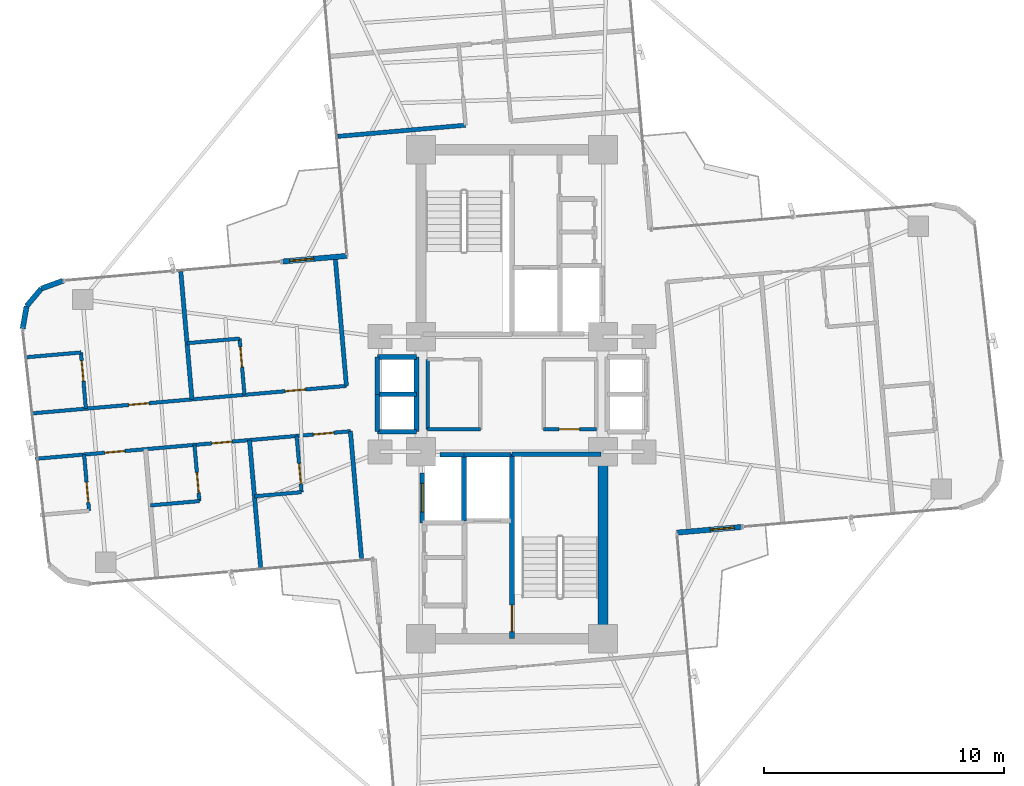
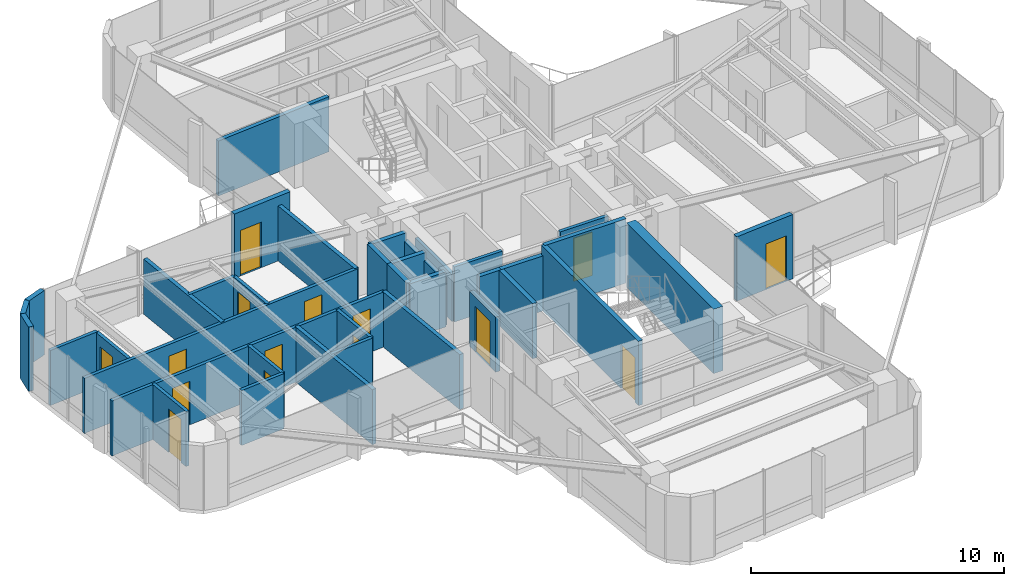
# One storey, part 21 of 24: 37 walls, 15 doors, 15 openings.
"""IFC4 building model written with IfcOpenShell, lengths in metres."""

from ifc_helpers import new_model, si_unit, direction, frame, frame_2d, origin, origin_2d, place, context, subcontext, project, spatial, rectangle, extrude, source, transform, mapped, material, layer, layer_set, type_object, element, fill, save


model = new_model("IFC4")

# Units and contexts
model_context = context("Model", 3, precision=1e-05, world=origin(), true_north=direction((0.0, 1.0)))
body_context = subcontext(model_context, "Body", "Model", "MODEL_VIEW")
ifc_project = project(units=[si_unit("LENGTHUNIT", "METRE"), si_unit("AREAUNIT", "SQUARE_METRE"), si_unit("VOLUMEUNIT", "CUBIC_METRE"), si_unit("PLANEANGLEUNIT", "RADIAN"), si_unit("MASSUNIT", "GRAM", prefix="KILO")], contexts=[model_context])

# Site, building, storey
site_placement = place(None, origin())
site = spatial("IfcSite", under=ifc_project, at=site_placement, CompositionType="ELEMENT")
building_placement = place(site_placement, origin())
building = spatial("IfcBuilding", under=site, at=building_placement, Name="Sahyath Konkavel Grand Hotel", CompositionType="ELEMENT")
storey_placement = place(building_placement, frame((0.0, 0.0, 153.949951171875)))
storey = spatial("IfcBuildingStorey", under=building, at=storey_placement, Name="L42", CompositionType="ELEMENT", Elevation=153.949951171875)

# Wall
ifc_material_1 = material(Name="Concrete C50/60", Category="concrete")
ifc_layer_1 = layer(ifc_material_1, 0.419921875)
ifc_layer_set_1 = layer_set([ifc_layer_1], Name="Concrete C50/60")
wall_type_1 = type_object("IfcWallType", Name="CWALL-420", PredefinedType="SHEAR", material=ifc_layer_set_1)
wall_1_placement = place(storey_placement, frame((3.800048828125, -9.75, 0.0), z_axis=(0.0, 0.0, 1.0), x_axis=(0.0, 1.0, 0.0)))
element("IfcWall", 1, at=wall_1_placement, inside=storey, type_object=wall_type_1, Name="L42 South Core Shear Wall E", PredefinedType="SHEAR", context=body_context, shape_type="SweptSolid", body=[
    extrude(rectangle(XDim=6.89990234375, YDim=0.419921875, at=frame_2d((3.449951171875, 0.0))), origin(), (0.0, 0.0, 1.0), 3.110107421875),
])

# Wall, opening, door
ifc_material_2 = material(Name="Warm Buff Sandstone Insulated Concrete C40/50", Category="masonry")
ifc_layer_2 = layer(ifc_material_2, 0.219970703125)
ifc_layer_set_2 = layer_set([ifc_layer_2], Name="Warm Buff Sandstone Insulated Concrete C40/50")
wall_type_2 = type_object("IfcWallType", Name="WLL-BALC-THRESH", PredefinedType="STANDARD", material=ifc_layer_set_2)
wall_2_placement = place(storey_placement, frame((6.87939453125, -5.7724609375, 0.0), z_axis=(0.0, 0.0, 1.0), x_axis=(0.996193619346, 0.087168071984, 0.0)))
wall_2 = element("IfcWall", 2, at=wall_2_placement, inside=storey, type_object=wall_type_2, Name="L42 Winter-Garden Threshold Wall 0", PredefinedType="STANDARD", context=body_context, shape_type="SweptSolid", body=[
    extrude(rectangle(XDim=2.699951171875, YDim=0.219970703125, at=frame_2d((1.35009765625, 0.0))), origin(), (0.0, 0.0, 1.0), 3.110107421875),
])
opening_1_placement = place(wall_2_placement, frame((1.39990234375, 0.0, 0.0)))
opening_1 = element("IfcOpeningElement", 3, at=opening_1_placement, cuts=wall_2, Name="Opening D-TR1", PredefinedType="OPENING", context=body_context, shape_type="SweptSolid", body=[
    extrude(rectangle(XDim=1.0, YDim=2.199951171875, at=frame_2d((0.5, 1.10009765625))), frame((0.0, 0.1201171875, 0.0), z_axis=(0.0, -1.0, 0.0), x_axis=(1.0, 0.0, 0.0)), (0.0, 0.0, 1.0), 0.239990234375),
])
ifc_material_3 = material(Name="Anodised Bronze Aluminium & Low-E Glazing", Category="aluminium")
door_type_1 = type_object("IfcDoorType", Name="DR-TERRACE-1000", OperationType="NOTDEFINED", PredefinedType="DOOR", material=ifc_material_3)
shared_shape_1 = source(origin(), body_context, "Body", "SweptSolid", [
    extrude(rectangle(XDim=1.0, YDim=0.050048828125, at=origin_2d()), origin(), (0.0, 0.0, 1.0), 2.199951171875),
])
door_1_placement = place(opening_1_placement, frame((0.5, 0.0, 0.0)))
door_1 = element("IfcDoor", 4, at=door_1_placement, inside=storey, type_object=door_type_1, Name="L42 Winter-Garden Terrace Door 0", OperationType="SINGLE_SWING_LEFT", OverallHeight=2.199951171875, OverallWidth=1.0, PredefinedType="DOOR", context=body_context, shape_type="MappedRepresentation", body=[
    mapped(shared_shape_1, transform((0.0, 0.0, 0.0), scale=1.0)),
])
fill(opening_1, door_1)

wall_3_placement = place(storey_placement, frame((-6.87939453125, 5.7724609375, 0.0), z_axis=(0.0, 0.0, 1.0), x_axis=(-0.996193619346, -0.087168071984, 0.0)))
wall_3 = element("IfcWall", 5, at=wall_3_placement, inside=storey, type_object=wall_type_2, Name="L42 Winter-Garden Threshold Wall 16", PredefinedType="STANDARD", context=body_context, shape_type="SweptSolid", body=[
    extrude(rectangle(XDim=2.699951171875, YDim=0.219970703125, at=frame_2d((1.35009765625, 0.0))), origin(), (0.0, 0.0, 1.0), 3.110107421875),
])
opening_2_placement = place(wall_3_placement, frame((1.39990234375, 0.0, 0.0)))
opening_2 = element("IfcOpeningElement", 6, at=opening_2_placement, cuts=wall_3, Name="Opening D-TR1", PredefinedType="OPENING", context=body_context, shape_type="SweptSolid", body=[
    extrude(rectangle(XDim=1.0, YDim=2.199951171875, at=frame_2d((0.5, 1.10009765625))), frame((0.0, 0.1201171875, 0.0), z_axis=(0.0, -1.0, 0.0), x_axis=(1.0, 0.0, 0.0)), (0.0, 0.0, 1.0), 0.239990234375),
])
door_2_placement = place(opening_2_placement, frame((0.5, 0.0, 0.0)))
door_2 = element("IfcDoor", 7, at=door_2_placement, inside=storey, type_object=door_type_1, Name="L42 Winter-Garden Terrace Door 16", OperationType="SINGLE_SWING_LEFT", OverallHeight=2.199951171875, OverallWidth=1.0, PredefinedType="DOOR", context=body_context, shape_type="MappedRepresentation", body=[
    mapped(shared_shape_1, transform((0.0, 0.0, 0.0), scale=1.0)),
])
fill(opening_2, door_2)

# Walls
wall_4_placement = place(storey_placement, frame((-18.73388671875, 4.735107421875, 0.0), z_axis=(0.0, 0.0, 1.0), x_axis=(-0.939741306239, -0.34188635151, 0.0)))
element("IfcWall", 8, at=wall_4_placement, inside=storey, type_object=wall_type_2, Name="L42 Rounded Corner Sandstone Pier 17", PredefinedType="STANDARD", context=body_context, shape_type="SweptSolid", body=[
    extrude(rectangle(XDim=0.95751953125, YDim=0.219970703125, at=frame_2d((0.478759765625, 0.0))), origin(), (0.0, 0.0, 1.0), 3.110107421875),
])
for number, where, z_axis, x_axis, name in (
    (9, (-19.6337890625, 4.40771484375, 0.0), (0.0, 0.0, 1.0), (-0.642863236823, -0.765980978054, 0.0), "L42 Rounded Corner Sandstone Pier 18"),
    (10, (-20.24951171875, 3.674072265625, 0.0), (0.0, 0.0, 1.0), (-0.173610811841, -0.984814340885, 0.0), "L42 Rounded Corner Sandstone Pier 19"),
):
    element("IfcWall", number, at=place(storey_placement, frame(where, z_axis=z_axis, x_axis=x_axis)), inside=storey, type_object=wall_type_2, Name=name, PredefinedType="STANDARD", context=body_context, shape_type="SweptSolid", body=[
        extrude(rectangle(XDim=0.957763671875, YDim=0.219970703125, at=frame_2d((0.47900390625, 0.0))), origin(), (0.0, 0.0, 1.0), 3.110107421875),
    ])

# Wall, opening, door
ifc_material_4 = material(Name="Concrete C40/50", Category="concrete")
ifc_layer_3 = layer(ifc_material_4, 0.199951171875)
ifc_layer_set_3 = layer_set([ifc_layer_3], Name="Concrete C40/50")
wall_type_3 = type_object("IfcWallType", Name="WLL-CORE-200", PredefinedType="SOLIDWALL", material=ifc_layer_set_3)
wall_5_placement = place(storey_placement, frame((0.0, -10.179931640625, 0.0), z_axis=(0.0, 0.0, 1.0), x_axis=(0.0, 1.0, 0.0)))
wall_5 = element("IfcWall", 11, at=wall_5_placement, inside=storey, type_object=wall_type_3, Name="L42 Stair ST-2 Shaft Wall W", PredefinedType="SOLIDWALL", context=body_context, shape_type="SweptSolid", body=[
    extrude(rectangle(XDim=7.679931640625, YDim=0.199951171875, at=frame_2d((3.83984375, 0.0))), origin(), (0.0, 0.0, 1.0), 3.110107421875),
])
opening_3_placement = place(wall_5_placement, frame((0.280029296875, 0.0, 0.0)))
opening_3 = element("IfcOpeningElement", 12, at=opening_3_placement, cuts=wall_5, Name="Opening D-F12B", PredefinedType="OPENING", context=body_context, shape_type="SweptSolid", body=[
    extrude(rectangle(XDim=1.10009765625, YDim=2.14990234375, at=frame_2d((0.550048828125, 1.074951171875))), frame((0.0, 0.10986328125, 0.0), z_axis=(0.0, -1.0, 0.0), x_axis=(1.0, 0.0, 0.0)), (0.0, 0.0, 1.0), 0.219970703125),
])
ifc_material_5 = material(Name="Steel E350 Smokeproof Fire Door", Category="steel")
door_type_2 = type_object("IfcDoorType", Name="DR-FD120-1100", OperationType="NOTDEFINED", PredefinedType="DOOR", material=ifc_material_5)
shared_shape_2 = source(origin(), body_context, "Body", "SweptSolid", [
    extrude(rectangle(XDim=1.10009765625, YDim=0.050048828125, at=origin_2d()), origin(), (0.0, 0.0, 1.0), 2.14990234375),
])
door_3_placement = place(opening_3_placement, frame((0.550048828125, 0.0, 0.0)))
door_3 = element("IfcDoor", 13, at=door_3_placement, inside=storey, type_object=door_type_2, Name="L42 Stair ST-2 Fire Door", OperationType="SINGLE_SWING_LEFT", OverallHeight=2.14990234375, OverallWidth=1.10009765625, PredefinedType="DOOR", context=body_context, shape_type="MappedRepresentation", body=[
    mapped(shared_shape_2, transform((0.0, 0.0, 0.0), scale=1.0)),
])
fill(opening_3, door_3)

# Walls
wall_6_placement = place(storey_placement, frame((0.0, -2.5, 0.0), z_axis=(0.0, 0.0, 1.0), x_axis=(1.0, 0.0, 0.0)))
element("IfcWall", 14, at=wall_6_placement, inside=storey, type_object=wall_type_3, Name="L42 Stair ST-2 Shaft Wall N", PredefinedType="SOLIDWALL", context=body_context, shape_type="SweptSolid", body=[
    extrude(rectangle(XDim=3.719970703125, YDim=0.199951171875, at=frame_2d((1.85986328125, 0.0))), origin(), (0.0, 0.0, 1.0), 3.110107421875),
])
wall_7_placement = place(storey_placement, frame((-2.0, -5.280029296875, 0.0), z_axis=(0.0, 0.0, 1.0), x_axis=(0.0, 1.0, 0.0)))
element("IfcWall", 15, at=wall_7_placement, inside=storey, type_object=wall_type_3, Name="L42 Partition SH-FFL2-W", PredefinedType="SOLIDWALL", context=body_context, shape_type="SweptSolid", body=[
    extrude(rectangle(XDim=2.780029296875, YDim=0.199951171875, at=frame_2d((1.39013671875, 0.0))), origin(), (0.0, 0.0, 1.0), 2.66015625),
])
wall_8_placement = place(storey_placement, frame((-2.0, -2.52001953125, 0.0), z_axis=(0.0, 0.0, 1.0), x_axis=(1.0, 0.0, 0.0)))
element("IfcWall", 16, at=wall_8_placement, inside=storey, type_object=wall_type_3, Name="L42 Partition SH-FFL2-N", PredefinedType="SOLIDWALL", context=body_context, shape_type="SweptSolid", body=[
    extrude(rectangle(XDim=1.949951171875, YDim=0.199951171875, at=frame_2d((0.97509765625, 0.0))), origin(), (0.0, 0.0, 1.0), 2.66015625),
])
wall_9_placement = place(storey_placement, frame((-3.0, -2.52001953125, 0.0), z_axis=(0.0, 0.0, 1.0), x_axis=(1.0, 0.0, 0.0)))
element("IfcWall", 17, at=wall_9_placement, inside=storey, type_object=wall_type_3, Name="L42 Partition SH-SVL2-N", PredefinedType="SOLIDWALL", context=body_context, shape_type="SweptSolid", body=[
    extrude(rectangle(XDim=1.0, YDim=0.199951171875, at=frame_2d((0.5, 0.0))), origin(), (0.0, 0.0, 1.0), 2.66015625),
])

# Wall, opening, door
wall_10_placement = place(storey_placement, frame((-3.739990234375, -5.360107421875, 0.0), z_axis=(0.0, 0.0, 1.0), x_axis=(0.0, 1.0, 0.0)))
wall_10 = element("IfcWall", 18, at=wall_10_placement, inside=storey, type_object=wall_type_3, Name="L42 Partition SH-SVL2-W", PredefinedType="SOLIDWALL", context=body_context, shape_type="SweptSolid", body=[
    extrude(rectangle(XDim=2.080078125, YDim=0.199951171875, at=frame_2d((1.0400390625, 0.0))), origin(), (0.0, 0.0, 1.0), 2.66015625),
])
opening_4_placement = place(wall_10_placement, frame((0.43994140625, 0.0, 0.0)))
opening_4 = element("IfcOpeningElement", 19, at=opening_4_placement, cuts=wall_10, Name="Opening LD-12", PredefinedType="OPENING", context=body_context, shape_type="SweptSolid", body=[
    extrude(rectangle(XDim=1.199951171875, YDim=2.199951171875, at=frame_2d((0.60009765625, 1.10009765625))), frame((0.0, 0.10986328125, 0.0), z_axis=(0.0, -1.0, 0.0), x_axis=(1.0, 0.0, 0.0)), (0.0, 0.0, 1.0), 0.219970703125),
])
ifc_material_6 = material(Name="Stainless Steel Lift Landing Door 1200", Category="steel")
door_type_3 = type_object("IfcDoorType", Name="DR-LIFT-1200", OperationType="DOUBLE_DOOR_SLIDING", PredefinedType="DOOR", material=ifc_material_6)
shared_shape_3 = source(origin(), body_context, "Body", "SweptSolid", [
    extrude(rectangle(XDim=1.199951171875, YDim=0.050048828125, at=origin_2d()), origin(), (0.0, 0.0, 1.0), 2.199951171875),
])
door_4_placement = place(opening_4_placement, frame((0.60009765625, 0.0, 0.0)))
door_4 = element("IfcDoor", 20, at=door_4_placement, inside=storey, type_object=door_type_3, Name="L42 Service Lift SVL-2 Landing Door", OperationType="DOUBLE_DOOR_SLIDING", OverallHeight=2.199951171875, OverallWidth=1.199951171875, PredefinedType="DOOR", context=body_context, shape_type="MappedRepresentation", body=[
    mapped(shared_shape_3, transform((0.0, 0.0, 0.0), scale=1.0)),
])
fill(opening_4, door_4)

# Walls
wall_11_placement = place(storey_placement, frame((-3.97998046875, -1.56005859375, 0.0), z_axis=(0.0, 0.0, 1.0), x_axis=(0.0, 1.0, 0.0)))
element("IfcWall", 21, at=wall_11_placement, inside=storey, type_object=wall_type_3, Name="L42 Partition SH-SL12-E", PredefinedType="SOLIDWALL", context=body_context, shape_type="SweptSolid", body=[
    extrude(rectangle(XDim=3.1201171875, YDim=0.199951171875, at=frame_2d((1.56005859375, 0.0))), origin(), (0.0, 0.0, 1.0), 2.280029296875),
])
for number, where, z_axis, x_axis, name in (
    (22, (-5.6201171875, 1.56005859375, 0.0), (0.0, 0.0, 1.0), (1.0, 0.0, 0.0), "L42 Partition SH-SL12-N"),
    (23, (-5.6201171875, -1.56005859375, 0.0), (0.0, 0.0, 1.0), (1.0, 0.0, 0.0), "L42 Partition SH-SL12-S"),
    (24, (-5.6201171875, 0.0, 0.0), (0.0, 0.0, 1.0), (1.0, 0.0, 0.0), "L42 Partition SH-SL12-M"),
):
    element("IfcWall", number, at=place(storey_placement, frame(where, z_axis=z_axis, x_axis=x_axis)), inside=storey, type_object=wall_type_3, Name=name, PredefinedType="SOLIDWALL", context=body_context, shape_type="SweptSolid", body=[
        extrude(rectangle(XDim=1.64013671875, YDim=0.199951171875, at=frame_2d((0.820068359375, 0.0))), origin(), (0.0, 0.0, 1.0), 2.66015625),
    ])
for number, where, z_axis, x_axis, name in (
    (25, (-5.6201171875, 0.0, 0.0), (0.0, 0.0, 1.0), (0.0, 1.0, 0.0), "L42 Partition SH-SL1-W"),
    (26, (-5.6201171875, -1.56005859375, 0.0), (0.0, 0.0, 1.0), (0.0, 1.0, 0.0), "L42 Partition SH-SL2-W"),
):
    element("IfcWall", number, at=place(storey_placement, frame(where, z_axis=z_axis, x_axis=x_axis)), inside=storey, type_object=wall_type_3, Name=name, PredefinedType="SOLIDWALL", context=body_context, shape_type="SweptSolid", body=[
        extrude(rectangle(XDim=1.56005859375, YDim=0.199951171875, at=frame_2d((0.780029296875, 0.0))), origin(), (0.0, 0.0, 1.0), 2.66015625),
    ])
ifc_material_7 = material(Name="Twin-Stud Acoustic Gypsum Plasterboard Partition")
ifc_layer_4 = layer(ifc_material_7, 0.179931640625)
ifc_layer_set_4 = layer_set([ifc_layer_4], Name="Twin-Stud Acoustic Gypsum Plasterboard Partition")
wall_type_4 = type_object("IfcWallType", Name="WLL-DEMISE-180", PredefinedType="PARTITIONING", material=ifc_layer_set_4)
for number, where, z_axis, x_axis, name in (
    (27, (-1.935546875, 11.22412109375, 0.0), (0.0, 0.0, 1.0), (-0.996194212812, -0.087161289348, 0.0), "L42 Partition N-INL"),
    (28, (-6.7412109375, -1.54345703125, 0.0), (0.0, 0.0, 1.0), (0.087161289348, -0.996194212812, 0.0), "L42 Partition W-INL"),
    (29, (-7.373046875, 5.678955078125, 0.0), (0.0, 0.0, 1.0), (0.087161289348, -0.996194212812, 0.0), "L42 Partition W-INR"),
    (30, (-10.94921875, -1.91162109375, 0.0), (0.0, 0.0, 1.0), (0.087161289348, -0.996194212812, 0.0), "L42 Partition W-W1L-DEM"),
    (31, (-13.35009765625, -0.21435546875, 0.0), (0.0, 0.0, 1.0), (-0.087161289348, 0.996194212812, 0.0), "L42 Partition W-W1R-DEM"),
):
    element("IfcWall", number, at=place(storey_placement, frame(where, z_axis=z_axis, x_axis=x_axis)), inside=storey, type_object=wall_type_4, Name=name, PredefinedType="PARTITIONING", context=body_context, shape_type="SweptSolid", body=[
        extrude(rectangle(XDim=5.349853515625, YDim=0.179931640625, at=frame_2d((2.6748046875, 0.0))), origin(), (0.0, 0.0, 1.0), 2.66015625),
    ])
ifc_material_8 = material(Name="Fire-Rated Gypsum Plasterboard Partition")
ifc_layer_5 = layer(ifc_material_8, 0.14990234375)
ifc_layer_set_5 = layer_set([ifc_layer_5], Name="Fire-Rated Gypsum Plasterboard Partition")
wall_type_5 = type_object("IfcWallType", Name="WLL-PART-150", PredefinedType="PARTITIONING", material=ifc_layer_set_5)
wall_12_placement = place(storey_placement, frame((-3.52001953125, -1.4599609375, 0.0), z_axis=(0.0, 0.0, 1.0), x_axis=(0.0, 1.0, 0.0)))
element("IfcWall", 32, at=wall_12_placement, inside=storey, type_object=wall_type_5, Name="L42 Partition CC-1WO", PredefinedType="PARTITIONING", context=body_context, shape_type="SweptSolid", body=[
    extrude(rectangle(XDim=2.919921875, YDim=0.14990234375, at=frame_2d((1.4599609375, 0.0))), origin(), (0.0, 0.0, 1.0), 2.280029296875),
])
wall_13_placement = place(storey_placement, frame((-3.52001953125, -1.4599609375, 0.0), z_axis=(0.0, 0.0, 1.0), x_axis=(1.0, 0.0, 0.0)))
element("IfcWall", 33, at=wall_13_placement, inside=storey, type_object=wall_type_5, Name="L42 Partition CC-1WS", PredefinedType="PARTITIONING", context=body_context, shape_type="SweptSolid", body=[
    extrude(rectangle(XDim=2.199951171875, YDim=0.14990234375, at=frame_2d((1.10009765625, 0.0))), origin(), (0.0, 0.0, 1.0), 2.66015625),
])

# Wall, opening, door
wall_14_placement = place(storey_placement, frame((1.320068359375, -1.4599609375, 0.0), z_axis=(0.0, 0.0, 1.0), x_axis=(1.0, 0.0, 0.0)))
wall_14 = element("IfcWall", 34, at=wall_14_placement, inside=storey, type_object=wall_type_5, Name="L42 Partition CC-1ES", PredefinedType="PARTITIONING", context=body_context, shape_type="SweptSolid", body=[
    extrude(rectangle(XDim=2.199951171875, YDim=0.14990234375, at=frame_2d((1.10009765625, 0.0))), origin(), (0.0, 0.0, 1.0), 2.66015625),
])
opening_5_placement = place(wall_14_placement, frame((0.64990234375, 0.0, 0.0)))
opening_5 = element("IfcOpeningElement", 35, at=opening_5_placement, cuts=wall_14, Name="Opening D-F06D", PredefinedType="OPENING", context=body_context, shape_type="SweptSolid", body=[
    extrude(rectangle(XDim=0.85009765625, YDim=2.10009765625, at=frame_2d((0.425048828125, 1.050048828125))), frame((0.0, 0.0849609375, 0.0), z_axis=(0.0, -1.0, 0.0), x_axis=(1.0, 0.0, 0.0)), (0.0, 0.0, 1.0), 0.169921875),
])
ifc_material_9 = material(Name="Fire-Rated Shaft Access Door")
door_type_4 = type_object("IfcDoorType", Name="DR-FD60-850", OperationType="NOTDEFINED", PredefinedType="DOOR", material=ifc_material_9)
shared_shape_4 = source(origin(), body_context, "Body", "SweptSolid", [
    extrude(rectangle(XDim=0.85009765625, YDim=0.050048828125, at=origin_2d()), origin(), (0.0, 0.0, 1.0), 2.10009765625),
])
door_5_placement = place(opening_5_placement, frame((0.425048828125, 0.0, 0.0)))
door_5 = element("IfcDoor", 36, at=door_5_placement, inside=storey, type_object=door_type_4, Name="L42 Door CC-D1E", OperationType="SINGLE_SWING_LEFT", OverallHeight=2.10009765625, OverallWidth=0.85009765625, PredefinedType="DOOR", context=body_context, shape_type="MappedRepresentation", body=[
    mapped(shared_shape_4, transform((0.0, 0.0, 0.0), scale=1.0)),
])
fill(opening_5, door_5)

# Wall, openings, doors
wall_15_placement = place(storey_placement, frame((-6.7412109375, -1.54345703125, 0.0), z_axis=(0.0, 0.0, 1.0), x_axis=(-0.996195062465, -0.087151577845, 0.0)))
wall_15 = element("IfcWall", 37, at=wall_15_placement, inside=storey, type_object=wall_type_5, Name="L42 Partition W-CL", PredefinedType="PARTITIONING", context=body_context, shape_type="SweptSolid", body=[
    extrude(rectangle(XDim=13.199951171875, YDim=0.14990234375, at=frame_2d((6.60009765625, 0.0))), origin(), (0.0, 0.0, 1.0), 2.66015625),
])
opening_6_placement = place(wall_15_placement, frame((0.699951171875, 0.0, 0.0)))
opening_6 = element("IfcOpeningElement", 38, at=opening_6_placement, cuts=wall_15, Name="Opening D-F06D", PredefinedType="OPENING", context=body_context, shape_type="SweptSolid", body=[
    extrude(rectangle(XDim=0.85009765625, YDim=2.10009765625, at=frame_2d((0.425048828125, 1.050048828125))), frame((0.0, 0.0849609375, 0.0), z_axis=(0.0, -1.0, 0.0), x_axis=(1.0, 0.0, 0.0)), (0.0, 0.0, 1.0), 0.169921875),
])
opening_7_placement = place(wall_15_placement, frame((4.951904296875, 0.0, 0.0)))
opening_7 = element("IfcOpeningElement", 39, at=opening_7_placement, cuts=wall_15, Name="Opening D-F06D", PredefinedType="OPENING", context=body_context, shape_type="SweptSolid", body=[
    extrude(rectangle(XDim=0.85009765625, YDim=2.10009765625, at=frame_2d((0.425048828125, 1.050048828125))), frame((0.0, 0.0849609375, 0.0), z_axis=(0.0, -1.0, 0.0), x_axis=(1.0, 0.0, 0.0)), (0.0, 0.0, 1.0), 0.169921875),
])
opening_8_placement = place(wall_15_placement, frame((9.43994140625, 0.0, 0.0)))
opening_8 = element("IfcOpeningElement", 40, at=opening_8_placement, cuts=wall_15, Name="Opening D-F06D", PredefinedType="OPENING", context=body_context, shape_type="SweptSolid", body=[
    extrude(rectangle(XDim=0.85009765625, YDim=2.10009765625, at=frame_2d((0.425048828125, 1.050048828125))), frame((0.0, 0.0849609375, 0.0), z_axis=(0.0, -1.0, 0.0), x_axis=(1.0, 0.0, 0.0)), (0.0, 0.0, 1.0), 0.169921875),
])
door_6_placement = place(opening_6_placement, frame((0.425048828125, 0.0, 0.0)))
door_6 = element("IfcDoor", 41, at=door_6_placement, inside=storey, type_object=door_type_4, Name="L42 Door W-W1L-ED", OperationType="SINGLE_SWING_RIGHT", OverallHeight=2.10009765625, OverallWidth=0.85009765625, PredefinedType="DOOR", context=body_context, shape_type="MappedRepresentation", body=[
    mapped(shared_shape_4, transform((0.0, 0.0, 0.0), scale=1.0)),
])
fill(opening_6, door_6)
door_7_placement = place(opening_7_placement, frame((0.425048828125, 0.0, 0.0)))
door_7 = element("IfcDoor", 42, at=door_7_placement, inside=storey, type_object=door_type_4, Name="L42 Door W-W2L-ED", OperationType="SINGLE_SWING_RIGHT", OverallHeight=2.10009765625, OverallWidth=0.85009765625, PredefinedType="DOOR", context=body_context, shape_type="MappedRepresentation", body=[
    mapped(shared_shape_4, transform((0.0, 0.0, 0.0), scale=1.0)),
])
fill(opening_7, door_7)
door_8_placement = place(opening_8_placement, frame((0.425048828125, 0.0, 0.0)))
door_8 = element("IfcDoor", 43, at=door_8_placement, inside=storey, type_object=door_type_4, Name="L42 Door W-W3L-ED", OperationType="SINGLE_SWING_RIGHT", OverallHeight=2.10009765625, OverallWidth=0.85009765625, PredefinedType="DOOR", context=body_context, shape_type="MappedRepresentation", body=[
    mapped(shared_shape_4, transform((0.0, 0.0, 0.0), scale=1.0)),
])
fill(opening_8, door_8)

wall_16_placement = place(storey_placement, frame((-6.90673828125, 0.349365234375, 0.0), z_axis=(0.0, 0.0, 1.0), x_axis=(-0.996195062465, -0.087151577845, 0.0)))
wall_16 = element("IfcWall", 44, at=wall_16_placement, inside=storey, type_object=wall_type_5, Name="L42 Partition W-CR", PredefinedType="PARTITIONING", context=body_context, shape_type="SweptSolid", body=[
    extrude(rectangle(XDim=13.199951171875, YDim=0.14990234375, at=frame_2d((6.60009765625, 0.0))), origin(), (0.0, 0.0, 1.0), 2.66015625),
])
opening_9_placement = place(wall_16_placement, frame((1.7099609375, 0.0, 0.0)))
opening_9 = element("IfcOpeningElement", 45, at=opening_9_placement, cuts=wall_16, Name="Opening D-F06D", PredefinedType="OPENING", context=body_context, shape_type="SweptSolid", body=[
    extrude(rectangle(XDim=0.85009765625, YDim=2.10009765625, at=frame_2d((0.425048828125, 1.050048828125))), frame((0.0, 0.0849609375, 0.0), z_axis=(0.0, -1.0, 0.0), x_axis=(1.0, 0.0, 0.0)), (0.0, 0.0, 1.0), 0.169921875),
])
opening_10_placement = place(wall_16_placement, frame((8.263916015625, 0.0, 0.0)))
opening_10 = element("IfcOpeningElement", 46, at=opening_10_placement, cuts=wall_16, Name="Opening D-F06D", PredefinedType="OPENING", context=body_context, shape_type="SweptSolid", body=[
    extrude(rectangle(XDim=0.85009765625, YDim=2.10009765625, at=frame_2d((0.425048828125, 1.050048828125))), frame((0.0, 0.0849609375, 0.0), z_axis=(0.0, -1.0, 0.0), x_axis=(1.0, 0.0, 0.0)), (0.0, 0.0, 1.0), 0.169921875),
])
door_9_placement = place(opening_9_placement, frame((0.425048828125, 0.0, 0.0)))
door_9 = element("IfcDoor", 47, at=door_9_placement, inside=storey, type_object=door_type_4, Name="L42 Door W-W1R-ED", OperationType="SINGLE_SWING_RIGHT", OverallHeight=2.10009765625, OverallWidth=0.85009765625, PredefinedType="DOOR", context=body_context, shape_type="MappedRepresentation", body=[
    mapped(shared_shape_4, transform((0.0, 0.0, 0.0), scale=1.0)),
])
fill(opening_9, door_9)
door_10_placement = place(opening_10_placement, frame((0.425048828125, 0.0, 0.0)))
door_10 = element("IfcDoor", 48, at=door_10_placement, inside=storey, type_object=door_type_4, Name="L42 Door W-W2R-ED", OperationType="SINGLE_SWING_RIGHT", OverallHeight=2.10009765625, OverallWidth=0.85009765625, PredefinedType="DOOR", context=body_context, shape_type="MappedRepresentation", body=[
    mapped(shared_shape_4, transform((0.0, 0.0, 0.0), scale=1.0)),
])
fill(opening_10, door_10)

# Wall, opening, door
wall_17_placement = place(storey_placement, frame((-8.982666015625, -1.739501953125, 0.0), z_axis=(0.0, 0.0, 1.0), x_axis=(0.087224846905, -0.996188649846, 0.0)))
wall_17 = element("IfcWall", 49, at=wall_17_placement, inside=storey, type_object=wall_type_5, Name="L42 Partition W-W1L-BS", PredefinedType="PARTITIONING", context=body_context, shape_type="SweptSolid", body=[
    extrude(rectangle(XDim=2.35400390625, YDim=0.14990234375, at=frame_2d((1.177001953125, 0.0))), origin(), (0.0, 0.0, 1.0), 2.66015625),
])
opening_11_placement = place(wall_17_placement, frame((1.154052734375, 0.0, 0.0)))
opening_11 = element("IfcOpeningElement", 50, at=opening_11_placement, cuts=wall_17, Name="Opening D-BT85", PredefinedType="OPENING", context=body_context, shape_type="SweptSolid", body=[
    extrude(rectangle(XDim=0.85009765625, YDim=2.10009765625, at=frame_2d((0.425048828125, 1.050048828125))), frame((0.0, 0.0849609375, 0.0), z_axis=(0.0, -1.0, 0.0), x_axis=(1.0, 0.0, 0.0)), (0.0, 0.0, 1.0), 0.169921875),
])
ifc_material_10 = material(Name="Moisture-Resistant Teak Bathroom Door")
door_type_5 = type_object("IfcDoorType", Name="DR-BATH-850", OperationType="NOTDEFINED", PredefinedType="DOOR", material=ifc_material_10)
door_11_placement = place(opening_11_placement, frame((0.425048828125, 0.0, 0.0)))
door_11 = element("IfcDoor", 51, at=door_11_placement, inside=storey, type_object=door_type_5, Name="L42 Door W-W1L-BD", OperationType="SINGLE_SWING_LEFT", OverallHeight=2.10009765625, OverallWidth=0.85009765625, PredefinedType="DOOR", context=body_context, shape_type="MappedRepresentation", body=[
    mapped(shared_shape_4, transform((0.0, 0.0, 0.0), scale=1.0)),
])
fill(opening_11, door_11)

# Wall
wall_18_placement = place(storey_placement, frame((-8.77734375, -4.08447265625, 0.0), z_axis=(0.0, 0.0, 1.0), x_axis=(-0.996191703625, -0.087189962887, 0.0)))
element("IfcWall", 52, at=wall_18_placement, inside=storey, type_object=wall_type_5, Name="L42 Partition W-W1L-BF", PredefinedType="PARTITIONING", context=body_context, shape_type="SweptSolid", body=[
    extrude(rectangle(XDim=1.97412109375, YDim=0.14990234375, at=frame_2d((0.987060546875, 0.0))), origin(), (0.0, 0.0, 1.0), 2.66015625),
])

# Wall, opening, door
wall_19_placement = place(storey_placement, frame((-13.246337890625, -2.112548828125, 0.0), z_axis=(0.0, 0.0, 1.0), x_axis=(0.087224846905, -0.996188649846, 0.0)))
wall_19 = element("IfcWall", 53, at=wall_19_placement, inside=storey, type_object=wall_type_5, Name="L42 Partition W-W2L-BS", PredefinedType="PARTITIONING", context=body_context, shape_type="SweptSolid", body=[
    extrude(rectangle(XDim=2.35400390625, YDim=0.14990234375, at=frame_2d((1.177001953125, 0.0))), origin(), (0.0, 0.0, 1.0), 2.66015625),
])
opening_12_placement = place(wall_19_placement, frame((1.154052734375, 0.0, 0.0)))
opening_12 = element("IfcOpeningElement", 54, at=opening_12_placement, cuts=wall_19, Name="Opening D-BT85", PredefinedType="OPENING", context=body_context, shape_type="SweptSolid", body=[
    extrude(rectangle(XDim=0.85009765625, YDim=2.10009765625, at=frame_2d((0.425048828125, 1.050048828125))), frame((0.0, 0.0849609375, 0.0), z_axis=(0.0, -1.0, 0.0), x_axis=(1.0, 0.0, 0.0)), (0.0, 0.0, 1.0), 0.169921875),
])
door_12_placement = place(opening_12_placement, frame((0.425048828125, 0.0, 0.0)))
door_12 = element("IfcDoor", 55, at=door_12_placement, inside=storey, type_object=door_type_5, Name="L42 Door W-W2L-BD", OperationType="SINGLE_SWING_LEFT", OverallHeight=2.10009765625, OverallWidth=0.85009765625, PredefinedType="DOOR", context=body_context, shape_type="MappedRepresentation", body=[
    mapped(shared_shape_4, transform((0.0, 0.0, 0.0), scale=1.0)),
])
fill(opening_12, door_12)

# Wall
wall_20_placement = place(storey_placement, frame((-13.041015625, -4.45751953125, 0.0), z_axis=(0.0, 0.0, 1.0), x_axis=(-0.99619307114, -0.087174336889, 0.0)))
element("IfcWall", 56, at=wall_20_placement, inside=storey, type_object=wall_type_5, Name="L42 Partition W-W2L-BF", PredefinedType="PARTITIONING", context=body_context, shape_type="SweptSolid", body=[
    extrude(rectangle(XDim=2.050048828125, YDim=0.14990234375, at=frame_2d((1.02490234375, 0.0))), origin(), (0.0, 0.0, 1.0), 2.66015625),
])

# Wall, opening, door
wall_21_placement = place(storey_placement, frame((-17.8486328125, -2.51513671875, 0.0), z_axis=(0.0, 0.0, 1.0), x_axis=(0.087121918963, -0.996197656711, 0.0)))
wall_21 = element("IfcWall", 57, at=wall_21_placement, inside=storey, type_object=wall_type_5, Name="L42 Partition W-W3L-BS", PredefinedType="PARTITIONING", context=body_context, shape_type="SweptSolid", body=[
    extrude(rectangle(XDim=2.35400390625, YDim=0.14990234375, at=frame_2d((1.177001953125, 0.0))), origin(), (0.0, 0.0, 1.0), 2.66015625),
])
opening_13_placement = place(wall_21_placement, frame((1.154052734375, 0.0, 0.0)))
opening_13 = element("IfcOpeningElement", 58, at=opening_13_placement, cuts=wall_21, Name="Opening D-BT85", PredefinedType="OPENING", context=body_context, shape_type="SweptSolid", body=[
    extrude(rectangle(XDim=0.85009765625, YDim=2.10009765625, at=frame_2d((0.425048828125, 1.050048828125))), frame((0.0, 0.0849609375, 0.0), z_axis=(0.0, -1.0, 0.0), x_axis=(1.0, 0.0, 0.0)), (0.0, 0.0, 1.0), 0.169921875),
])
door_13_placement = place(opening_13_placement, frame((0.425048828125, 0.0, 0.0)))
door_13 = element("IfcDoor", 59, at=door_13_placement, inside=storey, type_object=door_type_5, Name="L42 Door W-W3L-BD", OperationType="SINGLE_SWING_LEFT", OverallHeight=2.10009765625, OverallWidth=0.85009765625, PredefinedType="DOOR", context=body_context, shape_type="MappedRepresentation", body=[
    mapped(shared_shape_4, transform((0.0, 0.0, 0.0), scale=1.0)),
])
fill(opening_13, door_13)

wall_22_placement = place(storey_placement, frame((-11.159423828125, -0.022705078125, 0.0), z_axis=(0.0, 0.0, 1.0), x_axis=(-0.087224846905, 0.996188649846, 0.0)))
wall_22 = element("IfcWall", 60, at=wall_22_placement, inside=storey, type_object=wall_type_5, Name="L42 Partition W-W1R-BS", PredefinedType="PARTITIONING", context=body_context, shape_type="SweptSolid", body=[
    extrude(rectangle(XDim=2.35400390625, YDim=0.14990234375, at=frame_2d((1.177001953125, 0.0))), origin(), (0.0, 0.0, 1.0), 2.66015625),
])
opening_14_placement = place(wall_22_placement, frame((1.154052734375, 0.0, 0.0)))
opening_14 = element("IfcOpeningElement", 61, at=opening_14_placement, cuts=wall_22, Name="Opening D-BT85", PredefinedType="OPENING", context=body_context, shape_type="SweptSolid", body=[
    extrude(rectangle(XDim=0.85009765625, YDim=2.10009765625, at=frame_2d((0.425048828125, 1.050048828125))), frame((0.0, 0.0849609375, 0.0), z_axis=(0.0, -1.0, 0.0), x_axis=(1.0, 0.0, 0.0)), (0.0, 0.0, 1.0), 0.169921875),
])
door_14_placement = place(opening_14_placement, frame((0.425048828125, 0.0, 0.0)))
door_14 = element("IfcDoor", 62, at=door_14_placement, inside=storey, type_object=door_type_5, Name="L42 Door W-W1R-BD", OperationType="SINGLE_SWING_LEFT", OverallHeight=2.10009765625, OverallWidth=0.85009765625, PredefinedType="DOOR", context=body_context, shape_type="MappedRepresentation", body=[
    mapped(shared_shape_4, transform((0.0, 0.0, 0.0), scale=1.0)),
])
fill(opening_14, door_14)

# Wall
wall_23_placement = place(storey_placement, frame((-11.36474609375, 2.322265625, 0.0), z_axis=(0.0, 0.0, 1.0), x_axis=(-0.996195042958, -0.087151800816, 0.0)))
element("IfcWall", 63, at=wall_23_placement, inside=storey, type_object=wall_type_5, Name="L42 Partition W-W1R-BF", PredefinedType="PARTITIONING", context=body_context, shape_type="SweptSolid", body=[
    extrude(rectangle(XDim=2.198974609375, YDim=0.14990234375, at=frame_2d((1.099609375, 0.0))), origin(), (0.0, 0.0, 1.0), 2.66015625),
])

# Wall, opening, door
wall_24_placement = place(storey_placement, frame((-17.776123046875, -0.6015625, 0.0), z_axis=(0.0, 0.0, 1.0), x_axis=(-0.087224846905, 0.996188649846, 0.0)))
wall_24 = element("IfcWall", 64, at=wall_24_placement, inside=storey, type_object=wall_type_5, Name="L42 Partition W-W2R-BS", PredefinedType="PARTITIONING", context=body_context, shape_type="SweptSolid", body=[
    extrude(rectangle(XDim=2.35400390625, YDim=0.14990234375, at=frame_2d((1.177001953125, 0.0))), origin(), (0.0, 0.0, 1.0), 2.630126953125),
])
opening_15_placement = place(wall_24_placement, frame((1.154052734375, 0.0, 0.0)))
opening_15 = element("IfcOpeningElement", 65, at=opening_15_placement, cuts=wall_24, Name="Opening D-BT85", PredefinedType="OPENING", context=body_context, shape_type="SweptSolid", body=[
    extrude(rectangle(XDim=0.85009765625, YDim=2.10009765625, at=frame_2d((0.425048828125, 1.050048828125))), frame((0.0, 0.0849609375, 0.0), z_axis=(0.0, -1.0, 0.0), x_axis=(1.0, 0.0, 0.0)), (0.0, 0.0, 1.0), 0.169921875),
])
door_15_placement = place(opening_15_placement, frame((0.425048828125, 0.0, 0.0)))
door_15 = element("IfcDoor", 66, at=door_15_placement, inside=storey, type_object=door_type_5, Name="L42 Door W-W2R-BD", OperationType="SINGLE_SWING_LEFT", OverallHeight=2.10009765625, OverallWidth=0.85009765625, PredefinedType="DOOR", context=body_context, shape_type="MappedRepresentation", body=[
    mapped(shared_shape_4, transform((0.0, 0.0, 0.0), scale=1.0)),
])
fill(opening_15, door_15)

# Wall
wall_25_placement = place(storey_placement, frame((-17.9814453125, 1.743408203125, 0.0), z_axis=(0.0, 0.0, 1.0), x_axis=(-0.996196032585, -0.087140488075, 0.0)))
element("IfcWall", 67, at=wall_25_placement, inside=storey, type_object=wall_type_5, Name="L42 Partition W-W2R-BF", PredefinedType="PARTITIONING", context=body_context, shape_type="SweptSolid", body=[
    extrude(rectangle(XDim=2.2890625, YDim=0.14990234375, at=frame_2d((1.14453125, 0.0))), origin(), (0.0, 0.0, 1.0), 2.66015625),
])

save(model, "model.ifc")
